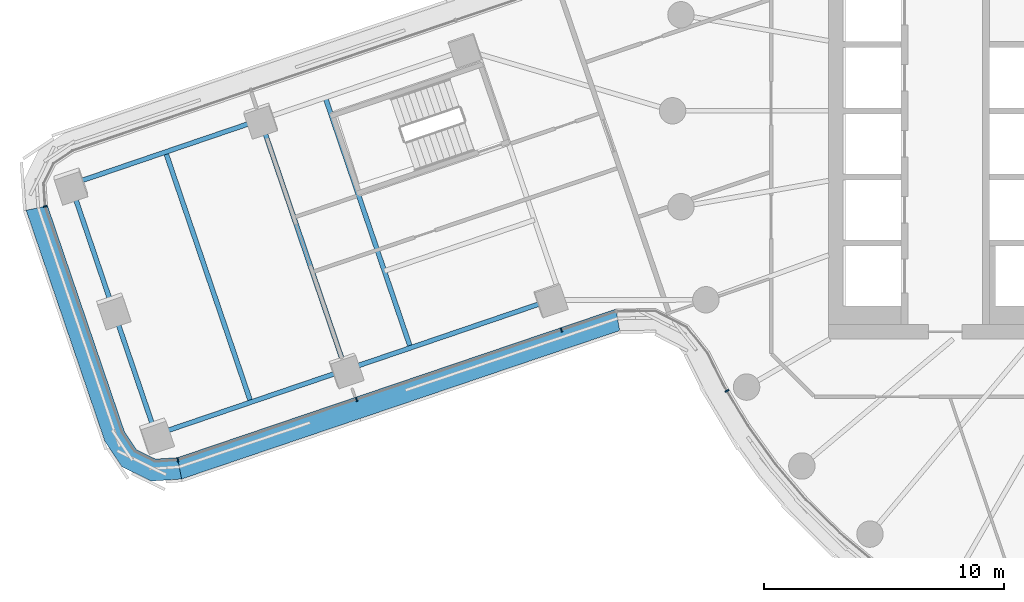
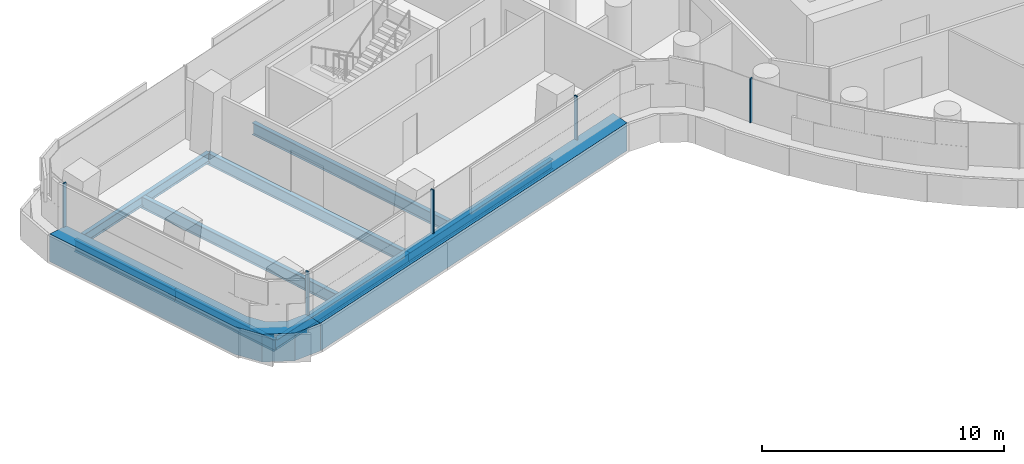
# One storey, part 4 of 29: 8 beams, 7 members, 3 elements without a shape of their own.
"""IFC4 building model written with IfcOpenShell, lengths in metres."""

from ifc_helpers import new_model, si_unit, direction, frame, origin, origin_2d, place, context, subcontext, project, spatial, polyline, rectangle, i_section, outline, extrude, material, layer, layer_set, material_profile, profile_set, type_object, element, aggregate, save


model = new_model("IFC4")

# Units and contexts
model_context = context("Model", 3, precision=1e-05, world=origin(), true_north=direction((0.0, 1.0)))
body_context = subcontext(model_context, "Body", "Model", "MODEL_VIEW")
ifc_project = project(units=[si_unit("LENGTHUNIT", "METRE"), si_unit("AREAUNIT", "SQUARE_METRE"), si_unit("VOLUMEUNIT", "CUBIC_METRE"), si_unit("PLANEANGLEUNIT", "RADIAN"), si_unit("MASSUNIT", "GRAM", prefix="KILO")], contexts=[model_context])

# Site, building, storey
site_placement = place(None, origin())
site = spatial("IfcSite", under=ifc_project, at=site_placement, CompositionType="ELEMENT")
building_placement = place(site_placement, origin())
building = spatial("IfcBuilding", under=site, at=building_placement, Name="Tamarind Cross Interchange Tower", CompositionType="ELEMENT")
storey_placement = place(building_placement, frame((0.0, 0.0, 102.25)))
storey = spatial("IfcBuildingStorey", under=building, at=storey_placement, Name="L24", CompositionType="ELEMENT", Elevation=102.25)

# Beams
ifc_material_1 = material(Name="Steel Q355B", Category="steel")
ifc_material_profile_1 = material_profile(ifc_material_1, i_section(OverallWidth=0.198974609375, OverallDepth=0.49609375, WebThickness=0.009033203125, FlangeThickness=0.013916015625, FilletRadius=0.012939453125, at=origin_2d()), Name="HN 496x199x9x14")
ifc_profile_set_1 = profile_set([ifc_material_profile_1], Name="Steel Q355B")
beam_type_1 = type_object("IfcBeamType", Name="Composite beam HN 496x199x9x14 Q355B", PredefinedType="BEAM", material=ifc_profile_set_1)
beam_1_placement = place(storey_placement, frame((-48.05126953125, -3.061767578125, -0.387939453125), z_axis=(0.946607184119, 0.322389266222, 0.0), x_axis=(-0.322389266222, 0.946607184119, 0.0)))
element("IfcBeam", 1, at=beam_1_placement, inside=storey, type_object=beam_type_1, Name="Beam W-edgeem5", PredefinedType="BEAM", context=body_context, shape_type="SweptSolid", body=[
    extrude(i_section(OverallWidth=0.198974609375, OverallDepth=0.49609375, WebThickness=0.009033203125, FlangeThickness=0.013916015625, FilletRadius=0.012939453125, at=origin_2d()), origin(), (0.0, 0.0, 1.0), 8.34765625),
])
beam_2_placement = place(storey_placement, frame((-44.505126953125, -13.474365234375, -0.387939453125), z_axis=(0.946616109311, 0.322363058667, 0.0), x_axis=(-0.322363058667, 0.946616109311, 0.0)))
element("IfcBeam", 2, at=beam_2_placement, inside=storey, type_object=beam_type_1, Name="Beam W-edgeep2", PredefinedType="BEAM", context=body_context, shape_type="SweptSolid", body=[
    extrude(i_section(OverallWidth=0.198974609375, OverallDepth=0.49609375, WebThickness=0.009033203125, FlangeThickness=0.013916015625, FilletRadius=0.012939453125, at=origin_2d()), origin(), (0.0, 0.0, 1.0), 8.347412109375),
])
beam_3_placement = place(storey_placement, frame((-36.603271484375, -10.783447265625, -0.387939453125), z_axis=(0.946612571629, 0.322373446849, 0.0), x_axis=(-0.322373446849, 0.946612571629, 0.0)))
element("IfcBeam", 3, at=beam_3_placement, inside=storey, type_object=beam_type_1, Name="Beam W-edgeep3", PredefinedType="BEAM", context=body_context, shape_type="SweptSolid", body=[
    extrude(i_section(OverallWidth=0.198974609375, OverallDepth=0.49609375, WebThickness=0.009033203125, FlangeThickness=0.013916015625, FilletRadius=0.012939453125, at=origin_2d()), origin(), (0.0, 0.0, 1.0), 9.0),
])
ifc_material_profile_2 = material_profile(ifc_material_1, i_section(OverallWidth=0.199951171875, OverallDepth=0.60009765625, WebThickness=0.010986328125, FlangeThickness=0.01708984375, FilletRadius=0.012939453125, at=origin_2d()), Name="HN 600x200x11x17")
ifc_profile_set_2 = profile_set([ifc_material_profile_2], Name="Steel Q355B")
beam_type_2 = type_object("IfcBeamType", Name="Composite beam HN 600x200x11x17 Q355B", PredefinedType="BEAM", material=ifc_profile_set_2)
for number, where, z_axis, x_axis, name in (
    (4, (-48.05126953125, -3.061767578125, -0.43994140625), (0.322360283634, -0.946617054323, 0.0), (0.946617054323, 0.322360283634, 0.0), "Beam W-tip0"),
    (5, (-46.2783203125, -8.26806640625, -0.43994140625), (0.322400059955, -0.946603507991, 0.0), (0.946603507991, 0.322400059955, 0.0), "Beam W-tip1"),
):
    element("IfcBeam", number, at=place(storey_placement, frame(where, z_axis=z_axis, x_axis=x_axis)), inside=storey, type_object=beam_type_2, Name=name, PredefinedType="BEAM", context=body_context, shape_type="SweptSolid", body=[
        extrude(i_section(OverallWidth=0.199951171875, OverallDepth=0.60009765625, WebThickness=0.010986328125, FlangeThickness=0.01708984375, FilletRadius=0.012939453125, at=origin_2d()), origin(), (0.0, 0.0, 1.0), 5.5),
    ])
for number, where, z_axis, x_axis, name in (
    (6, (-37.45166015625, 0.548095703125, -0.43994140625), (0.322373398976, -0.946612587933, 0.0), (0.946612587933, 0.322373398976, 0.0), "Beam W-x364"),
    (7, (-40.1494140625, -0.37060546875, -0.43994140625), (0.322373398976, -0.946612587933, 0.0), (0.946612587933, 0.322373398976, 0.0), "Beam W-x393"),
    (8, (-44.100341796875, -1.716064453125, -0.43994140625), (0.322373398976, -0.946612587933, 0.0), (0.946612587933, 0.322373398976, 0.0), "Beam W-x435"),
):
    element("IfcBeam", number, at=place(storey_placement, frame(where, z_axis=z_axis, x_axis=x_axis)), inside=storey, type_object=beam_type_2, Name=name, PredefinedType="BEAM", context=body_context, shape_type="SweptSolid", body=[
        extrude(i_section(OverallWidth=0.199951171875, OverallDepth=0.60009765625, WebThickness=0.010986328125, FlangeThickness=0.01708984375, FilletRadius=0.012939453125, at=origin_2d()), origin(), (0.0, 0.0, 1.0), 11.0),
    ])

# Curtain wall, member
ifc_material_2 = material(Name="Aluminium 6063-T6", Category="aluminium")
ifc_layer = layer(ifc_material_2, 0.159912109375)
ifc_layer_set = layer_set([ifc_layer], Name="Aluminium 6063-T6")
curtain_wall_type = type_object("IfcCurtainWallType", Name="Office curtain wall, 9.0 m bays", PredefinedType="NOTDEFINED", material=ifc_layer_set)
curtain_wall_1_placement = place(storey_placement, origin())
curtain_wall_1 = element("IfcCurtainWall", 9, at=curtain_wall_1_placement, inside=storey, type_object=curtain_wall_type, Name="CWS-L24-00", PredefinedType="NOTDEFINED")
ifc_material_3 = material(Name="Aluminium and insulated spandrel panel", Category="aluminium")
member_type_1 = type_object("IfcMemberType", Name="Floor-edge blade transom", PredefinedType="USERDEFINED", material=ifc_material_3)
member_1_placement = place(storey_placement, origin())
member_1 = element("IfcMember", 10, at=member_1_placement, type_object=member_type_1, Name="CWT-L24-00", ObjectType="TRANSOM", PredefinedType="USERDEFINED", context=body_context, shape_type="SweptSolid", body=[
    extrude(outline(polyline([(-49.013427734375, -3.959228515625), (-45.815185546875, -13.3505859375), (-45.305908203125, -14.111083984375), (-44.52099609375, -14.4970703125), (-43.607421875, -14.4365234375), (-43.43017578125, -15.32666015625), (-44.701904296875, -15.4111328125), (-45.91943359375, -14.812255859375), (-46.62890625, -13.7529296875), (-49.903564453125, -4.13720703125), (-49.013427734375, -3.959228515625)])), origin(), (0.0, 0.0, 1.0), 1.39990234375),
])

curtain_wall_2_placement = place(storey_placement, origin())
curtain_wall_2 = element("IfcCurtainWall", 11, at=curtain_wall_2_placement, inside=storey, type_object=curtain_wall_type, Name="CWS-L24-01", PredefinedType="NOTDEFINED")
member_2_placement = place(storey_placement, origin())
member_2 = element("IfcMember", 12, at=member_2_placement, type_object=member_type_1, Name="CWT-L24-01", ObjectType="TRANSOM", PredefinedType="USERDEFINED", context=body_context, shape_type="SweptSolid", body=[
    extrude(outline(polyline([(-43.607421875, -14.4365234375), (-25.35595703125, -8.251220703125), (-25.201416015625, -9.149169921875), (-43.43017578125, -15.32666015625), (-43.607421875, -14.4365234375)])), origin(), (0.0, 0.0, 1.0), 1.39990234375),
])

# Member
ifc_material_profile_3 = material_profile(ifc_material_2, rectangle(XDim=0.06005859375, YDim=0.159912109375, at=origin_2d()), Name="Mullion CW1")
ifc_profile_set_3 = profile_set([ifc_material_profile_3], Name="Aluminium 6063-T6")
member_type_2 = type_object("IfcMemberType", Name="Mullion CW1", PredefinedType="MULLION", material=ifc_profile_set_3)
member_3_placement = place(storey_placement, frame((-49.1123046875, -3.97900390625, 1.39990234375), z_axis=(0.0, 0.0, 1.0), x_axis=(0.196055678729, -0.980592765035, 0.0)))
member_3 = element("IfcMember", 13, at=member_3_placement, type_object=member_type_2, Name="CWM-L24-00-00", PredefinedType="MULLION", context=body_context, shape_type="SweptSolid", body=[
    extrude(rectangle(XDim=0.06005859375, YDim=0.159912109375, at=origin_2d()), origin(), (0.0, 0.0, 1.0), 2.210205078125),
])

aggregate(curtain_wall_1, [member_3, member_1])

member_4_placement = place(storey_placement, frame((-43.587890625, -14.535400390625, 1.39990234375), z_axis=(0.0, 0.0, 1.0), x_axis=(0.980738691154, 0.195324396001, 0.0)))
member_4 = element("IfcMember", 14, at=member_4_placement, type_object=member_type_2, Name="CWM-L24-01-00", PredefinedType="MULLION", context=body_context, shape_type="SweptSolid", body=[
    extrude(rectangle(XDim=0.06005859375, YDim=0.159912109375, at=origin_2d()), origin(), (0.0, 0.0, 1.0), 2.210205078125),
])

member_5_placement = place(storey_placement, frame((-36.1533203125, -12.015869140625, 1.39990234375), z_axis=(0.0, 0.0, 1.0), x_axis=(0.947092988773, 0.320959297445, 0.0)))
member_5 = element("IfcMember", 15, at=member_5_placement, type_object=member_type_2, Name="CWM-L24-01-01", PredefinedType="MULLION", context=body_context, shape_type="SweptSolid", body=[
    extrude(rectangle(XDim=0.06005859375, YDim=0.159912109375, at=origin_2d()), origin(), (0.0, 0.0, 1.0), 2.210205078125),
])

member_6_placement = place(storey_placement, frame((-27.627197265625, -9.12646484375, 1.39990234375), z_axis=(0.0, 0.0, 1.0), x_axis=(0.947092988773, 0.320959297445, 0.0)))
member_6 = element("IfcMember", 16, at=member_6_placement, type_object=member_type_2, Name="CWM-L24-01-02", PredefinedType="MULLION", context=body_context, shape_type="SweptSolid", body=[
    extrude(rectangle(XDim=0.06005859375, YDim=0.159912109375, at=origin_2d()), origin(), (0.0, 0.0, 1.0), 2.210205078125),
])

aggregate(curtain_wall_2, [member_4, member_5, member_6, member_2])

# Curtain wall, member
curtain_wall_3_placement = place(storey_placement, origin())
curtain_wall_3 = element("IfcCurtainWall", 17, at=curtain_wall_3_placement, inside=storey, type_object=curtain_wall_type, Name="CWS-L24-02", PredefinedType="NOTDEFINED")
member_7_placement = place(storey_placement, frame((-20.73388671875, -11.65625, 1.39990234375), z_axis=(0.0, 0.0, 1.0), x_axis=(0.515577308909, -0.856843065292, 0.0)))
member_7 = element("IfcMember", 18, at=member_7_placement, type_object=member_type_2, Name="CWM-L24-02-01", PredefinedType="MULLION", context=body_context, shape_type="SweptSolid", body=[
    extrude(rectangle(XDim=0.06005859375, YDim=0.159912109375, at=origin_2d()), origin(), (0.0, 0.0, 1.0), 2.210205078125),
])
aggregate(curtain_wall_3, [member_7])

save(model, "model.ifc")
